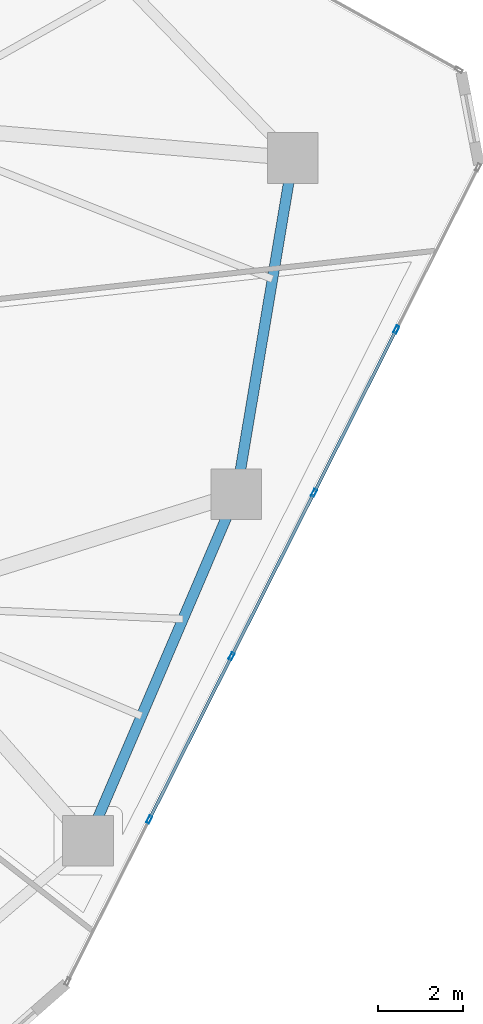
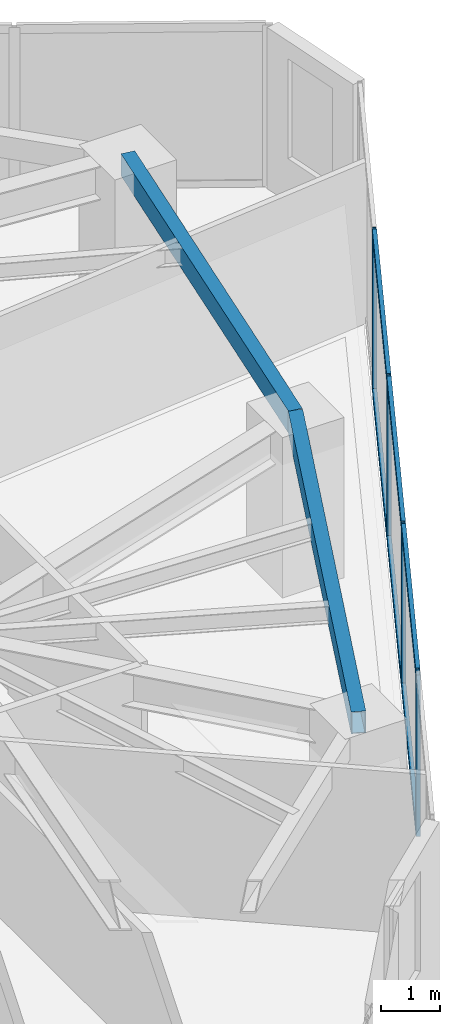
# One storey, part 10 of 21: 10 members, 2 beams, 1 element without a shape of its own.
"""IFC4 building model written with IfcOpenShell, lengths in metres."""

from ifc_helpers import new_model, si_unit, direction, frame, origin, origin_2d, place, context, subcontext, project, spatial, hollow_rectangle, extrude, source, transform, mapped, material, layer, layer_set, material_profile, profile_set, type_object, type_shapes, element, aggregate, save


model = new_model("IFC4")

# Units and contexts
model_context = context("Model", 3, precision=1e-05, world=origin(), true_north=direction((0.0, 1.0)))
body_context = subcontext(model_context, "Body", "Model", "MODEL_VIEW")
ifc_project = project(units=[si_unit("LENGTHUNIT", "METRE"), si_unit("AREAUNIT", "SQUARE_METRE"), si_unit("VOLUMEUNIT", "CUBIC_METRE"), si_unit("PLANEANGLEUNIT", "RADIAN"), si_unit("MASSUNIT", "GRAM", prefix="KILO")], contexts=[model_context])

# Site, building, storey
site_placement = place(None, origin())
site = spatial("IfcSite", under=ifc_project, at=site_placement, CompositionType="ELEMENT")
building_placement = place(site_placement, origin())
building = spatial("IfcBuilding", under=site, at=building_placement, Name="Talar Marvaseh", CompositionType="ELEMENT")
storey_placement = place(building_placement, frame((0.0, 0.0, 147.0)))
storey = spatial("IfcBuildingStorey", under=building, at=storey_placement, Name="L38", CompositionType="ELEMENT", Elevation=147.0)

# Beams
ifc_material_1 = material(Name="Steel S355", Category="steel")
ifc_material_profile_1 = material_profile(ifc_material_1, hollow_rectangle(XDim=0.25, YDim=0.449951171875, WallThickness=0.01611328125, at=origin_2d()), Name="RHS450x250x16")
ifc_profile_set_1 = profile_set([ifc_material_profile_1], Name="Steel S355")
beam_type = type_object("IfcBeamType", Name="Zone 2 Perimeter Spandrel Beam RHS450x250x16", PredefinedType="SPANDREL", material=ifc_profile_set_1)
beam_1_placement = place(storey_placement, frame((43.0439453125, 36.075927734375, 3.0849609375), z_axis=(-0.165641685249, -0.986186002795, 0.0), x_axis=(0.986186002795, -0.165641685249, 0.0)))
element("IfcBeam", 1, at=beam_1_placement, inside=storey, type_object=beam_type, Name="L38 Zone 2 Perimeter Spandrel Beam RHS450x250x16", PredefinedType="SPANDREL", context=body_context, shape_type="SweptSolid", body=[
    extrude(hollow_rectangle(XDim=0.25, YDim=0.449951171875, WallThickness=0.01611328125, at=origin_2d()), origin(), (0.0, 0.0, 1.0), 8.059326171875),
])
beam_2_placement = place(storey_placement, frame((41.708984375, 28.1279296875, 3.0849609375), z_axis=(-0.393369955619, -0.919380268451, 0.0), x_axis=(0.919380268451, -0.393369955619, 0.0)))
element("IfcBeam", 2, at=beam_2_placement, inside=storey, type_object=beam_type, Name="L38 Zone 2 Perimeter Spandrel Beam RHS450x250x16", PredefinedType="SPANDREL", context=body_context, shape_type="SweptSolid", body=[
    extrude(hollow_rectangle(XDim=0.25, YDim=0.449951171875, WallThickness=0.01611328125, at=origin_2d()), origin(), (0.0, 0.0, 1.0), 8.905029296875),
])

# Curtain wall, members
ifc_material_2 = material(Name="Architectural Aluminium", Category="aluminium")
ifc_layer = layer(ifc_material_2, 0.199951171875)
ifc_layer_set = layer_set([ifc_layer], Name="Architectural Aluminium")
curtain_wall_type = type_object("IfcCurtainWallType", Name="Unitised Acoustic Library Curtain Wall Z2", PredefinedType="NOTDEFINED", material=ifc_layer_set)
curtain_wall_placement = place(storey_placement, origin())
curtain_wall = element("IfcCurtainWall", 3, at=curtain_wall_placement, inside=storey, type_object=curtain_wall_type, Name="L38 Unitised Acoustic Library Curtain Wall Z2", PredefinedType="NOTDEFINED")
ifc_material_profile_2 = material_profile(ifc_material_2, hollow_rectangle(XDim=0.074951171875, YDim=0.179931640625, WallThickness=0.0048828125, at=origin_2d()), Name="RHS180x75x5")
ifc_profile_set_2 = profile_set([ifc_material_profile_2], Name="Architectural Aluminium")
member_type_1 = type_object("IfcMemberType", Name="Unitised Curtain Wall Standard Mullion RHS180x75x5", PredefinedType="MULLION", material=ifc_profile_set_2)
shared_shape_1 = source(origin(), body_context, "Body", "SweptSolid", [
    extrude(hollow_rectangle(XDim=0.074951171875, YDim=0.179931640625, WallThickness=0.0048828125, at=origin_2d()), origin(), (0.0, 0.0, 1.0), 3.31005859375),
])
type_shapes(member_type_1, [shared_shape_1])
member_1_placement = place(storey_placement, frame((45.490478515625, 32.023193359375, 0.0), z_axis=(0.0, 0.0, 1.0), x_axis=(0.892909429351, -0.450236327916, 0.0)))
member_1 = element("IfcMember", 4, at=member_1_placement, type_object=member_type_1, Name="CW-Z2 mullion 2", PredefinedType="MULLION", context=body_context, shape_type="MappedRepresentation", body=[
    mapped(shared_shape_1, transform((0.0, 0.0, 0.0), x_axis=(1.0, 0.0, 0.0), y_axis=(0.0, 1.0, 0.0), z_axis=(0.0, 0.0, 1.0), scale=1.0)),
])
member_2_placement = place(storey_placement, frame((43.543701171875, 28.16259765625, 0.0), z_axis=(0.0, 0.0, 1.0), x_axis=(0.892909429351, -0.450236327916, 0.0)))
member_2 = element("IfcMember", 5, at=member_2_placement, type_object=member_type_1, Name="CW-Z2 mullion 3", PredefinedType="MULLION", context=body_context, shape_type="MappedRepresentation", body=[
    mapped(shared_shape_1, transform((0.0, 0.0, 0.0), x_axis=(1.0, 0.0, 0.0), y_axis=(0.0, 1.0, 0.0), z_axis=(0.0, 0.0, 1.0), scale=1.0)),
])
member_3_placement = place(storey_placement, frame((41.59716796875, 24.302001953125, 0.0), z_axis=(0.0, 0.0, 1.0), x_axis=(0.892909429351, -0.450236327916, 0.0)))
member_3 = element("IfcMember", 6, at=member_3_placement, type_object=member_type_1, Name="CW-Z2 mullion 4", PredefinedType="MULLION", context=body_context, shape_type="MappedRepresentation", body=[
    mapped(shared_shape_1, transform((0.0, 0.0, 0.0), x_axis=(1.0, 0.0, 0.0), y_axis=(0.0, 1.0, 0.0), z_axis=(0.0, 0.0, 1.0), scale=1.0)),
])
member_4_placement = place(storey_placement, frame((39.650634765625, 20.441650390625, 0.0), z_axis=(0.0, 0.0, 1.0), x_axis=(0.892909429351, -0.450236327916, 0.0)))
member_4 = element("IfcMember", 7, at=member_4_placement, type_object=member_type_1, Name="CW-Z2 mullion 5", PredefinedType="MULLION", context=body_context, shape_type="MappedRepresentation", body=[
    mapped(shared_shape_1, transform((0.0, 0.0, 0.0), x_axis=(1.0, 0.0, 0.0), y_axis=(0.0, 1.0, 0.0), z_axis=(0.0, 0.0, 1.0), scale=1.0)),
])
ifc_material_profile_3 = material_profile(ifc_material_2, hollow_rectangle(XDim=0.074951171875, YDim=0.179931640625, WallThickness=0.0048828125, at=origin_2d()), Name="RHS180x75x5")
ifc_profile_set_3 = profile_set([ifc_material_profile_3], Name="Architectural Aluminium")
member_type_2 = type_object("IfcMemberType", Name="Unitised Curtain Wall Transom RHS180x75x5", PredefinedType="USERDEFINED", material=ifc_profile_set_3)
shared_shape_2 = source(origin(), body_context, "Body", "SweptSolid", [
    extrude(hollow_rectangle(XDim=0.074951171875, YDim=0.179931640625, WallThickness=0.0048828125, at=origin_2d()), origin(), (0.0, 0.0, 1.0), 4.24853515625),
])
member_5_placement = place(storey_placement, frame((41.580322265625, 24.2685546875, 0.03759765625), z_axis=(-0.450245221045, -0.892904945067, 0.0), x_axis=(0.892904945067, -0.450245221045, 0.0)))
member_5 = element("IfcMember", 8, at=member_5_placement, type_object=member_type_2, Name="CW-Z2 transom 4.1", ObjectType="TRANSOM", PredefinedType="USERDEFINED", context=body_context, shape_type="MappedRepresentation", body=[
    mapped(shared_shape_2, transform((0.0, 0.0, 0.0), x_axis=(1.0, 0.0, 0.0), y_axis=(0.0, 1.0, 0.0), z_axis=(0.0, 0.0, 1.0), scale=1.0)),
])
member_6_placement = place(storey_placement, frame((41.580322265625, 24.2685546875, 3.2724609375), z_axis=(-0.450245221045, -0.892904945067, 0.0), x_axis=(0.892904945067, -0.450245221045, 0.0)))
member_6 = element("IfcMember", 9, at=member_6_placement, type_object=member_type_2, Name="CW-Z2 transom 4.2", ObjectType="TRANSOM", PredefinedType="USERDEFINED", context=body_context, shape_type="MappedRepresentation", body=[
    mapped(shared_shape_2, transform((0.0, 0.0, 0.0), x_axis=(1.0, 0.0, 0.0), y_axis=(0.0, 1.0, 0.0), z_axis=(0.0, 0.0, 1.0), scale=1.0)),
])
shared_shape_3 = source(origin(), body_context, "Body", "SweptSolid", [
    extrude(hollow_rectangle(XDim=0.074951171875, YDim=0.179931640625, WallThickness=0.0048828125, at=origin_2d()), origin(), (0.0, 0.0, 1.0), 4.248779296875),
])
type_shapes(member_type_2, [shared_shape_2, shared_shape_3])
member_7_placement = place(storey_placement, frame((45.473388671875, 31.98974609375, 0.03759765625), z_axis=(-0.450222119289, -0.892916593699, 0.0), x_axis=(0.892916593699, -0.450222119289, 0.0)))
member_7 = element("IfcMember", 10, at=member_7_placement, type_object=member_type_2, Name="CW-Z2 transom 2.1", ObjectType="TRANSOM", PredefinedType="USERDEFINED", context=body_context, shape_type="MappedRepresentation", body=[
    mapped(shared_shape_3, transform((0.0, 0.0, 0.0), x_axis=(1.0, 0.0, 0.0), y_axis=(0.0, 1.0, 0.0), z_axis=(0.0, 0.0, 1.0), scale=1.0)),
])
member_8_placement = place(storey_placement, frame((45.473388671875, 31.98974609375, 3.2724609375), z_axis=(-0.450222119289, -0.892916593699, 0.0), x_axis=(0.892916593699, -0.450222119289, 0.0)))
member_8 = element("IfcMember", 11, at=member_8_placement, type_object=member_type_2, Name="CW-Z2 transom 2.2", ObjectType="TRANSOM", PredefinedType="USERDEFINED", context=body_context, shape_type="MappedRepresentation", body=[
    mapped(shared_shape_3, transform((0.0, 0.0, 0.0), x_axis=(1.0, 0.0, 0.0), y_axis=(0.0, 1.0, 0.0), z_axis=(0.0, 0.0, 1.0), scale=1.0)),
])
member_9_placement = place(storey_placement, frame((43.52685546875, 28.129150390625, 0.03759765625), z_axis=(-0.450222119289, -0.892916593699, 0.0), x_axis=(0.892916593699, -0.450222119289, 0.0)))
member_9 = element("IfcMember", 12, at=member_9_placement, type_object=member_type_2, Name="CW-Z2 transom 3.1", ObjectType="TRANSOM", PredefinedType="USERDEFINED", context=body_context, shape_type="MappedRepresentation", body=[
    mapped(shared_shape_3, transform((0.0, 0.0, 0.0), x_axis=(1.0, 0.0, 0.0), y_axis=(0.0, 1.0, 0.0), z_axis=(0.0, 0.0, 1.0), scale=1.0)),
])
member_10_placement = place(storey_placement, frame((43.52685546875, 28.129150390625, 3.2724609375), z_axis=(-0.450222119289, -0.892916593699, 0.0), x_axis=(0.892916593699, -0.450222119289, 0.0)))
member_10 = element("IfcMember", 13, at=member_10_placement, type_object=member_type_2, Name="CW-Z2 transom 3.2", ObjectType="TRANSOM", PredefinedType="USERDEFINED", context=body_context, shape_type="MappedRepresentation", body=[
    mapped(shared_shape_3, transform((0.0, 0.0, 0.0), x_axis=(1.0, 0.0, 0.0), y_axis=(0.0, 1.0, 0.0), z_axis=(0.0, 0.0, 1.0), scale=1.0)),
])
aggregate(curtain_wall, [member_1, member_2, member_3, member_4, member_7, member_8, member_9, member_10, member_5, member_6])

save(model, "model.ifc")
